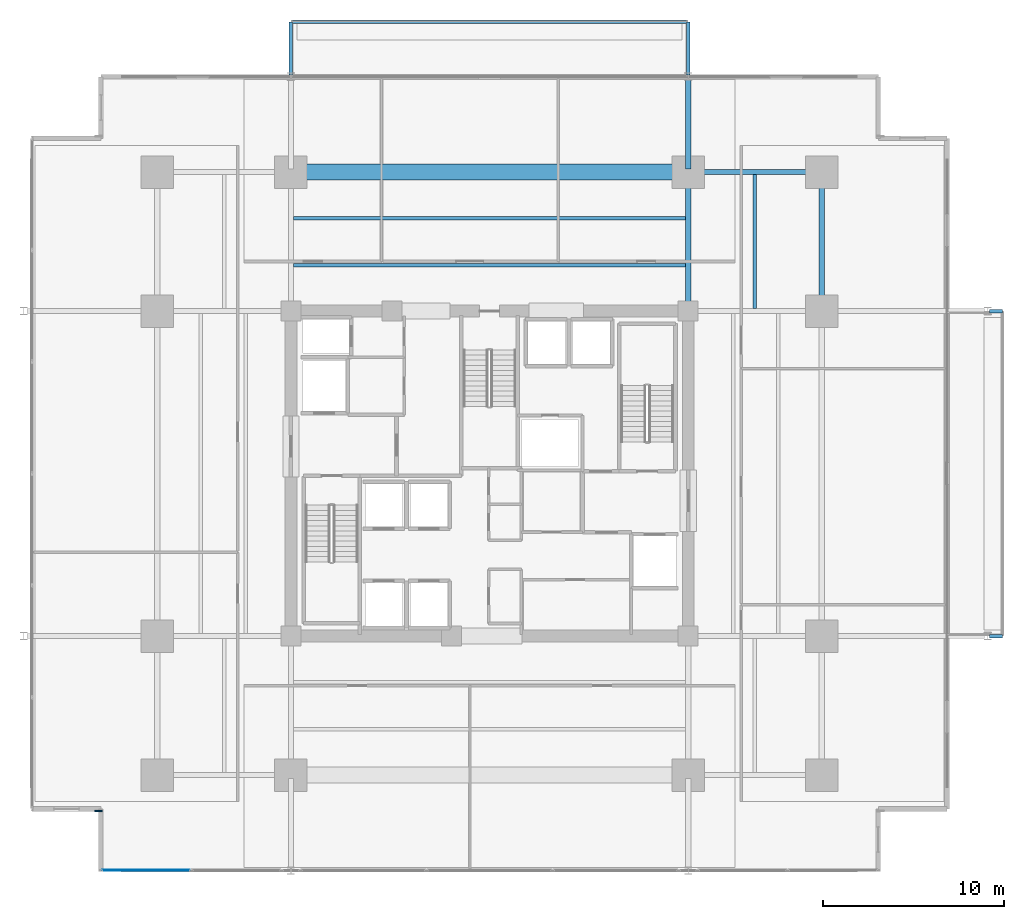
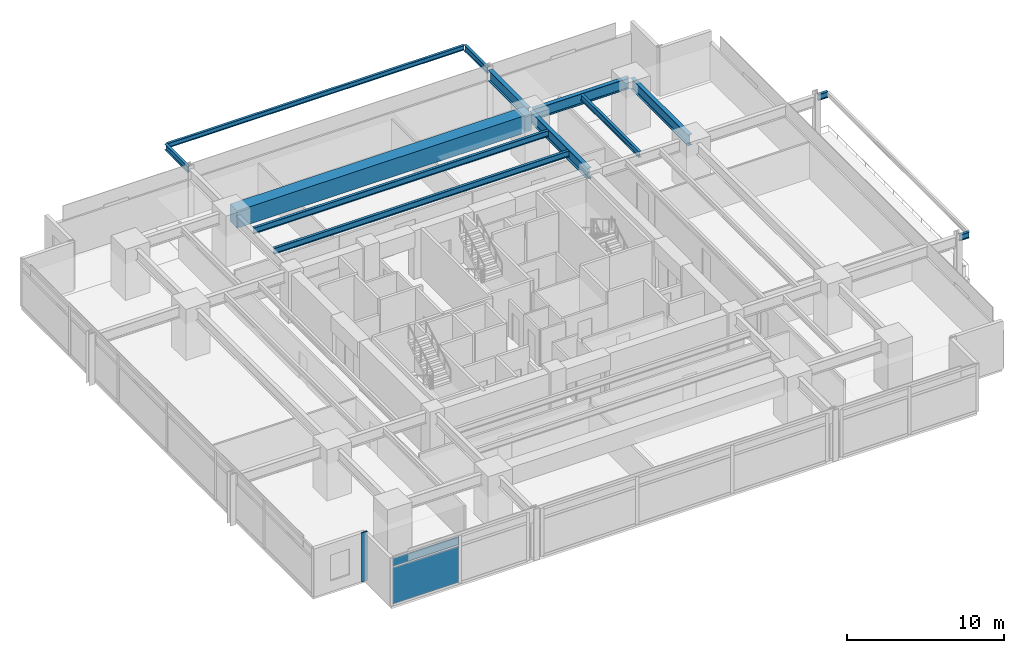
# One storey, part 12 of 22: 13 beams, 3 plates, 1 element without a shape of its own.
"""IFC4 building model written with IfcOpenShell, lengths in metres."""

from ifc_helpers import new_model, si_unit, direction, frame, origin, origin_2d, place, context, subcontext, project, spatial, rectangle, i_section, extrude, material, layer, layer_set, material_profile, profile_set, type_object, element, aggregate, save


model = new_model("IFC4")

# Units and contexts
model_context = context("Model", 3, precision=1e-05, world=origin(), true_north=direction((0.0, 1.0)))
body_context = subcontext(model_context, "Body", "Model", "MODEL_VIEW")
ifc_project = project(units=[si_unit("LENGTHUNIT", "METRE"), si_unit("AREAUNIT", "SQUARE_METRE"), si_unit("VOLUMEUNIT", "CUBIC_METRE"), si_unit("PLANEANGLEUNIT", "RADIAN"), si_unit("MASSUNIT", "GRAM", prefix="KILO")], contexts=[model_context])

# Site, building, storey
site_placement = place(None, origin())
site = spatial("IfcSite", under=ifc_project, at=site_placement, CompositionType="ELEMENT")
building_placement = place(site_placement, origin())
building = spatial("IfcBuilding", under=site, at=building_placement, Name="Kovane Verandah Tower", CompositionType="ELEMENT")
storey_placement = place(building_placement, frame((0.0, 0.0, 43.60009765625)))
storey = spatial("IfcBuildingStorey", under=building, at=storey_placement, Name="L09", CompositionType="ELEMENT", Elevation=43.60009765625)

# Beams
ifc_material_1 = material(Name="Concrete C80/95", Category="concrete")
ifc_material_profile_1 = material_profile(ifc_material_1, rectangle(XDim=0.89990234375, YDim=1.35009765625, at=origin_2d()), Name="RCB900x1350")
ifc_profile_set_1 = profile_set([ifc_material_profile_1], Name="Concrete C80/95")
beam_type_1 = type_object("IfcBeamType", Name="BM-TR-900x1350", PredefinedType="BEAM", material=ifc_profile_set_1)
beam_1_placement = place(storey_placement, frame((29.179931640625, 44.199951171875, 3.0849609375), z_axis=(1.0, 0.0, 0.0), x_axis=(0.0, 1.0, 0.0)))
element("IfcBeam", 1, at=beam_1_placement, inside=storey, type_object=beam_type_1, Name="L09 Primary Tower Girder G-RN2", PredefinedType="BEAM", context=body_context, shape_type="SweptSolid", body=[
    extrude(rectangle(XDim=0.89990234375, YDim=1.35009765625, at=origin_2d()), origin(), (0.0, 0.0, 1.0), 21.64013671875),
])
ifc_material_2 = material(Name="Steel S355", Category="steel")
ifc_material_profile_2 = material_profile(ifc_material_2, i_section(OverallWidth=0.293701171875, OverallDepth=0.850830078125, WebThickness=0.01611328125, FlangeThickness=0.02685546875, FilletRadius=0.017822265625, at=origin_2d()), Name="UB838x292x226")
ifc_profile_set_2 = profile_set([ifc_material_profile_2], Name="Steel S355")
beam_type_2 = type_object("IfcBeamType", Name="BM-UB838x226", PredefinedType="BEAM", material=ifc_profile_set_2)
beam_2_placement = place(storey_placement, frame((51.179931640625, 44.199951171875, 3.33447265625), z_axis=(1.0, 0.0, 0.0), x_axis=(0.0, 1.0, 0.0)))
element("IfcBeam", 2, at=beam_2_placement, inside=storey, type_object=beam_type_2, Name="L09 Primary Tower Girder G-RN3", PredefinedType="BEAM", context=body_context, shape_type="SweptSolid", body=[
    extrude(i_section(OverallWidth=0.293701171875, OverallDepth=0.850830078125, WebThickness=0.01611328125, FlangeThickness=0.02685546875, FilletRadius=0.017822265625, at=origin_2d()), origin(), (0.0, 0.0, 1.0), 7.0400390625),
])
for number, where, z_axis, x_axis, name in (
    (3, (58.39990234375, 36.679931640625, 3.33447265625), (0.0, 1.0, 0.0), (-1.0, 0.0, 0.0), "L09 Primary Tower Girder G-RE3"),
    (4, (51.0, 36.679931640625, 3.33447265625), (0.0, 1.0, 0.0), (-1.0, 0.0, 0.0), "L09 Primary Tower Girder G-N2"),
):
    element("IfcBeam", number, at=place(storey_placement, frame(where, z_axis=z_axis, x_axis=x_axis)), inside=storey, type_object=beam_type_2, Name=name, PredefinedType="BEAM", context=body_context, shape_type="SweptSolid", body=[
        extrude(i_section(OverallWidth=0.293701171875, OverallDepth=0.850830078125, WebThickness=0.01611328125, FlangeThickness=0.02685546875, FilletRadius=0.017822265625, at=origin_2d()), origin(), (0.0, 0.0, 1.0), 7.340087890625),
    ])
beam_3_placement = place(storey_placement, frame((51.0, 44.3798828125, 3.33447265625), z_axis=(0.0, 1.0, 0.0), x_axis=(-1.0, 0.0, 0.0)))
element("IfcBeam", 5, at=beam_3_placement, inside=storey, type_object=beam_type_2, Name="L09 Primary Tower Girder G-VN2", PredefinedType="BEAM", context=body_context, shape_type="SweptSolid", body=[
    extrude(i_section(OverallWidth=0.293701171875, OverallDepth=0.850830078125, WebThickness=0.01611328125, FlangeThickness=0.02685546875, FilletRadius=0.017822265625, at=origin_2d()), origin(), (0.0, 0.0, 1.0), 4.940185546875),
])
ifc_material_profile_3 = material_profile(ifc_material_2, i_section(OverallWidth=0.19287109375, OverallDepth=0.46728515625, WebThickness=0.011474609375, FlangeThickness=0.01953125, FilletRadius=0.01025390625, at=origin_2d()), Name="UB457x191x98")
ifc_profile_set_3 = profile_set([ifc_material_profile_3], Name="Steel S355")
beam_type_3 = type_object("IfcBeamType", Name="JST-UB457x98", PredefinedType="JOIST", material=ifc_profile_set_3)
for number, where, z_axis, x_axis, name in (
    (6, (29.14501953125, 39.050048828125, 3.5263671875), (1.0, 0.0, 0.0), (0.0, 1.0, 0.0), "L09 Secondary Composite Joist J-N1"),
    (7, (29.14501953125, 41.64990234375, 3.5263671875), (1.0, 0.0, 0.0), (0.0, 1.0, 0.0), "L09 Secondary Composite Joist J-N2"),
):
    element("IfcBeam", number, at=place(storey_placement, frame(where, z_axis=z_axis, x_axis=x_axis)), inside=storey, type_object=beam_type_3, Name=name, PredefinedType="JOIST", context=body_context, shape_type="SweptSolid", body=[
        extrude(i_section(OverallWidth=0.19287109375, OverallDepth=0.46728515625, WebThickness=0.011474609375, FlangeThickness=0.01953125, FilletRadius=0.01025390625, at=origin_2d()), origin(), (0.0, 0.0, 1.0), 21.7099609375),
    ])
beam_4_placement = place(storey_placement, frame((54.699951171875, 36.64501953125, 3.5263671875), z_axis=(0.0, 1.0, 0.0), x_axis=(-1.0, 0.0, 0.0)))
element("IfcBeam", 8, at=beam_4_placement, inside=storey, type_object=beam_type_3, Name="L09 Secondary Composite Joist J-NE1", PredefinedType="JOIST", context=body_context, shape_type="SweptSolid", body=[
    extrude(i_section(OverallWidth=0.19287109375, OverallDepth=0.46728515625, WebThickness=0.011474609375, FlangeThickness=0.01953125, FilletRadius=0.01025390625, at=origin_2d()), origin(), (0.0, 0.0, 1.0), 7.41015625),
])
for number, where, z_axis, x_axis, name in (
    (9, (29.0, 49.580078125, 3.5263671875), (0.0, 1.0, 0.0), (-1.0, 0.0, 0.0), "L09 North Planter Girder 1"),
    (10, (51.0, 49.580078125, 3.5263671875), (0.0, 1.0, 0.0), (-1.0, 0.0, 0.0), "L09 North Planter Girder 2"),
):
    element("IfcBeam", number, at=place(storey_placement, frame(where, z_axis=z_axis, x_axis=x_axis)), inside=storey, type_object=beam_type_3, Name=name, PredefinedType="JOIST", context=body_context, shape_type="SweptSolid", body=[
        extrude(i_section(OverallWidth=0.19287109375, OverallDepth=0.46728515625, WebThickness=0.011474609375, FlangeThickness=0.01953125, FilletRadius=0.01025390625, at=origin_2d()), origin(), (0.0, 0.0, 1.0), 2.93115234375),
    ])
for number, where, z_axis, x_axis, name in (
    (11, (67.679931640625, 18.5, 3.5263671875), (1.0, 0.0, 0.0), (0.0, 1.0, 0.0), "L09 East Planter Girder 1"),
    (12, (67.679931640625, 36.5, 3.5263671875), (1.0, 0.0, 0.0), (0.0, 1.0, 0.0), "L09 East Planter Girder 2"),
):
    element("IfcBeam", number, at=place(storey_placement, frame(where, z_axis=z_axis, x_axis=x_axis)), inside=storey, type_object=beam_type_3, Name=name, PredefinedType="JOIST", context=body_context, shape_type="SweptSolid", body=[
        extrude(i_section(OverallWidth=0.19287109375, OverallDepth=0.46728515625, WebThickness=0.011474609375, FlangeThickness=0.01953125, FilletRadius=0.01025390625, at=origin_2d()), origin(), (0.0, 0.0, 1.0), 0.72900390625),
    ])
ifc_material_profile_4 = material_profile(ifc_material_2, i_section(OverallWidth=0.173095703125, OverallDepth=0.36328125, WebThickness=0.009033203125, FlangeThickness=0.015625, FilletRadius=0.01025390625, at=origin_2d()), Name="UB356x171x67")
ifc_profile_set_4 = profile_set([ifc_material_profile_4], Name="Steel S355")
beam_type_4 = type_object("IfcBeamType", Name="SPD-UB356x67", PredefinedType="USERDEFINED", material=ifc_profile_set_4)
beam_5_placement = place(storey_placement, frame((29.094482421875, 52.51123046875, 3.578125), z_axis=(1.0, 0.0, 0.0), x_axis=(0.0, 1.0, 0.0)))
element("IfcBeam", 13, at=beam_5_placement, inside=storey, type_object=beam_type_4, Name="L09 North Planter Edge Spandrel", ObjectType="SPANDREL", PredefinedType="USERDEFINED", context=body_context, shape_type="SweptSolid", body=[
    extrude(i_section(OverallWidth=0.173095703125, OverallDepth=0.36328125, WebThickness=0.009033203125, FlangeThickness=0.015625, FilletRadius=0.01025390625, at=origin_2d()), origin(), (0.0, 0.0, 1.0), 21.81103515625),
])

# Curtain wall, plates
ifc_material_3 = material(Name="Champagne Anodised Aluminium Frame with Low-E Clear Laminated Glass", Category="aluminium")
curtain_wall_type = type_object("IfcCurtainWallType", Name="CW-SYS-02-LOW", PredefinedType="NOTDEFINED", material=ifc_material_3)
curtain_wall_placement = place(storey_placement, origin())
curtain_wall = element("IfcCurtainWall", 14, at=curtain_wall_placement, inside=storey, type_object=curtain_wall_type, Name="L09 S Unitised Curtain Wall-1", PredefinedType="NOTDEFINED")
ifc_material_4 = material(Name="Pale Champagne Anodised Aluminium Insulated Spandrel", Category="aluminium")
ifc_layer_1 = layer(ifc_material_4, 0.0400390625)
ifc_layer_set_1 = layer_set([ifc_layer_1], Name="Pale Champagne Anodised Aluminium Insulated Spandrel")
plate_type_1 = type_object("IfcPlateType", Name="PL-CW-SPD-40", PredefinedType="SHEET", material=ifc_layer_set_1)
plate_1_placement = place(storey_placement, frame((20.97021484375, 5.52685546875, 3.02978515625), z_axis=(0.0, 0.0, 1.0), x_axis=(1.0, 0.0, 0.0)))
plate_1 = element("IfcPlate", 15, at=plate_1_placement, type_object=plate_type_1, Name="L09 S Unitised Curtain Wall-1 Spandrel Panel 1", PredefinedType="SHEET", context=body_context, shape_type="SweptSolid", body=[
    extrude(rectangle(XDim=4.866455078125, YDim=0.0400390625, at=origin_2d()), origin(), (0.0, 0.0, 1.0), 0.639892578125),
])
ifc_material_5 = material(Name="Clear Low-E Laminated Double Glazing", Category="glass")
ifc_layer_2 = layer(ifc_material_5, 0.031982421875)
ifc_layer_set_2 = layer_set([ifc_layer_2], Name="Clear Low-E Laminated Double Glazing")
plate_type_2 = type_object("IfcPlateType", Name="PL-CW-VIS-32", PredefinedType="CURTAIN_PANEL", material=ifc_layer_set_2)
plate_2_placement = place(storey_placement, frame((20.97021484375, 5.52685546875, 0.099853515625), z_axis=(0.0, 0.0, 1.0), x_axis=(1.0, 0.0, 0.0)))
plate_2 = element("IfcPlate", 16, at=plate_2_placement, type_object=plate_type_2, Name="L09 S Unitised Curtain Wall-1 Vision Panel 1", PredefinedType="CURTAIN_PANEL", context=body_context, shape_type="SweptSolid", body=[
    extrude(rectangle(XDim=4.866455078125, YDim=0.031982421875, at=origin_2d()), origin(), (0.0, 0.0, 1.0), 2.830078125),
])
aggregate(curtain_wall, [plate_2, plate_1])

# Plate
ifc_material_6 = material(Name="Timber-Toned Subtropical Aluminium Vertical Blade", Category="wood")
ifc_layer_3 = layer(ifc_material_6, 0.090087890625)
ifc_layer_set_3 = layer_set([ifc_layer_3], Name="Timber-Toned Subtropical Aluminium Vertical Blade")
plate_type_3 = type_object("IfcPlateType", Name="PL-FIN-90", PredefinedType="USERDEFINED", material=ifc_layer_set_3)
plate_3_placement = place(storey_placement, frame((18.346923828125, 8.806884765625, -0.02001953125), z_axis=(0.0, 0.0, 1.0), x_axis=(1.0, 0.0, 0.0)))
element("IfcPlate", 17, at=plate_3_placement, inside=storey, type_object=plate_type_3, Name="L09 SW Timber-Toned Vertical Corner Fin", ObjectType="FIN", PredefinedType="USERDEFINED", context=body_context, shape_type="SweptSolid", body=[
    extrude(rectangle(XDim=0.419921875, YDim=0.090087890625, at=origin_2d()), origin(), (0.0, 0.0, 1.0), 3.820068359375),
])

save(model, "model.ifc")
